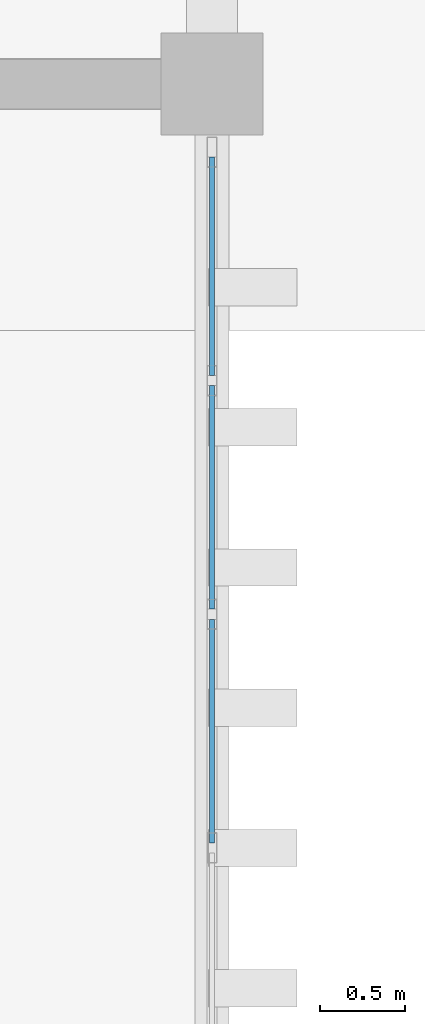
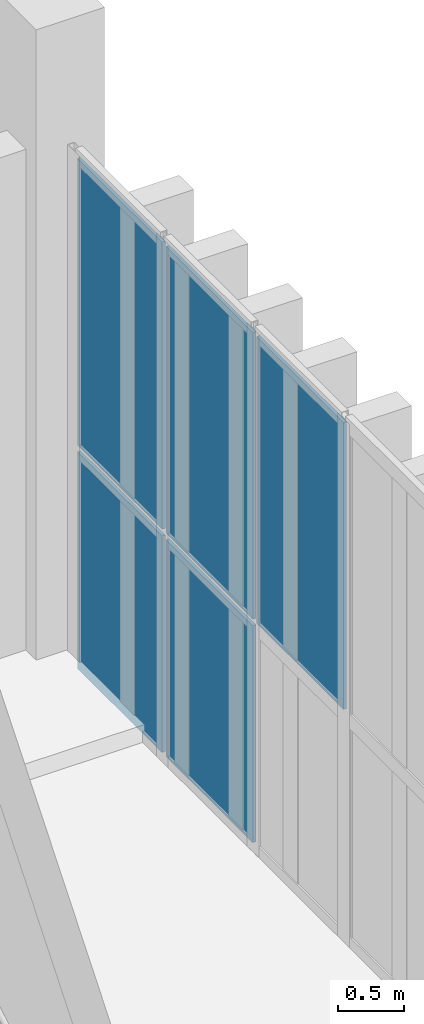
# One storey, part 195 of 237: 5 plates, 1 element without a shape of its own.
"""IFC4 building model written with IfcOpenShell, lengths in metres."""

from ifc_helpers import new_model, si_unit, direction, frame, origin, origin_2d, place, context, subcontext, project, spatial, rectangle, extrude, material, layer, layer_set, type_object, element, aggregate, save


model = new_model("IFC4")

# Units and contexts
model_context = context("Model", 3, precision=1e-05, world=origin(), true_north=direction((0.0, 1.0)))
body_context = subcontext(model_context, "Body", "Model", "MODEL_VIEW")
ifc_project = project(units=[si_unit("LENGTHUNIT", "METRE"), si_unit("AREAUNIT", "SQUARE_METRE"), si_unit("VOLUMEUNIT", "CUBIC_METRE"), si_unit("PLANEANGLEUNIT", "RADIAN"), si_unit("MASSUNIT", "GRAM", prefix="KILO")], contexts=[model_context])

# Site, building, storey
site_placement = place(None, origin())
site = spatial("IfcSite", under=ifc_project, at=site_placement, CompositionType="ELEMENT")
building_placement = place(site_placement, origin())
building = spatial("IfcBuilding", under=site, at=building_placement, Name="Barlavento Convention Centre", CompositionType="ELEMENT")
storey_placement = place(building_placement, frame((0.0, 0.0, 12.0)))
storey = spatial("IfcBuildingStorey", under=building, at=storey_placement, Name="L02", CompositionType="ELEMENT", Elevation=12.0)

# Curtain wall, plates
ifc_material_1 = material(Name="Powder-coated aluminium and Low-E glass", Category="aluminium")
ifc_layer_1 = layer(ifc_material_1, 0.195068359375)
ifc_layer_set_1 = layer_set([ifc_layer_1], Name="ARC-CW-BALL-L02")
curtain_wall_type = type_object("IfcCurtainWallType", Name="ARC-CW-BALL-L02", PredefinedType="NOTDEFINED", material=ifc_layer_set_1)
curtain_wall_placement = place(storey_placement, origin())
curtain_wall = element("IfcCurtainWall", 1, at=curtain_wall_placement, inside=storey, type_object=curtain_wall_type, Name="L02 unitised curtain wall CW07", PredefinedType="NOTDEFINED")
ifc_material_2 = material(Name="Double-silver Low-E insulated glass", Category="glass")
ifc_layer_2 = layer(ifc_material_2, 0.028076171875)
ifc_layer_set_2 = layer_set([ifc_layer_2], Name="ARC-CWP-GLZ28")
plate_type = type_object("IfcPlateType", Name="ARC-CWP-GLZ28", PredefinedType="CURTAIN_PANEL", material=ifc_layer_set_2)
plate_1_placement = place(storey_placement, frame((192.0, 95.188232421875, 2.1298828125), z_axis=(0.0, 0.0, 1.0), x_axis=(0.0, 1.0, 0.0)))
plate_1 = element("IfcPlate", 2, at=plate_1_placement, type_object=plate_type, Name="CW07 panel 4.2", PredefinedType="CURTAIN_PANEL", context=body_context, shape_type="SweptSolid", body=[
    extrude(rectangle(XDim=1.316650390625, YDim=0.028076171875, at=origin_2d()), origin(), (0.0, 0.0, 1.0), 2.659912109375),
])
plate_2_placement = place(storey_placement, frame((192.0, 96.56494140625, 0.06005859375), z_axis=(0.0, 0.0, 1.0), x_axis=(0.0, 1.0, 0.0)))
plate_2 = element("IfcPlate", 3, at=plate_2_placement, type_object=plate_type, Name="CW07 panel 5.1", PredefinedType="CURTAIN_PANEL", context=body_context, shape_type="SweptSolid", body=[
    extrude(rectangle(XDim=1.316650390625, YDim=0.028076171875, at=origin_2d()), origin(), (0.0, 0.0, 1.0), 2.010009765625),
])
plate_3_placement = place(storey_placement, frame((192.0, 96.56494140625, 2.1298828125), z_axis=(0.0, 0.0, 1.0), x_axis=(0.0, 1.0, 0.0)))
plate_3 = element("IfcPlate", 4, at=plate_3_placement, type_object=plate_type, Name="CW07 panel 5.2", PredefinedType="CURTAIN_PANEL", context=body_context, shape_type="SweptSolid", body=[
    extrude(rectangle(XDim=1.316650390625, YDim=0.028076171875, at=origin_2d()), origin(), (0.0, 0.0, 1.0), 2.659912109375),
])
plate_4_placement = place(storey_placement, frame((192.0, 97.9267578125, 0.06005859375), z_axis=(0.0, 0.0, 1.0), x_axis=(0.0, 1.0, 0.0)))
plate_4 = element("IfcPlate", 5, at=plate_4_placement, type_object=plate_type, Name="CW07 panel 6.1", PredefinedType="CURTAIN_PANEL", context=body_context, shape_type="SweptSolid", body=[
    extrude(rectangle(XDim=1.28662109375, YDim=0.028076171875, at=origin_2d()), origin(), (0.0, 0.0, 1.0), 2.010009765625),
])
plate_5_placement = place(storey_placement, frame((192.0, 97.9267578125, 2.1298828125), z_axis=(0.0, 0.0, 1.0), x_axis=(0.0, 1.0, 0.0)))
plate_5 = element("IfcPlate", 6, at=plate_5_placement, type_object=plate_type, Name="CW07 panel 6.2", PredefinedType="CURTAIN_PANEL", context=body_context, shape_type="SweptSolid", body=[
    extrude(rectangle(XDim=1.28662109375, YDim=0.028076171875, at=origin_2d()), origin(), (0.0, 0.0, 1.0), 2.659912109375),
])
aggregate(curtain_wall, [plate_1, plate_2, plate_3, plate_4, plate_5])

save(model, "model.ifc")
